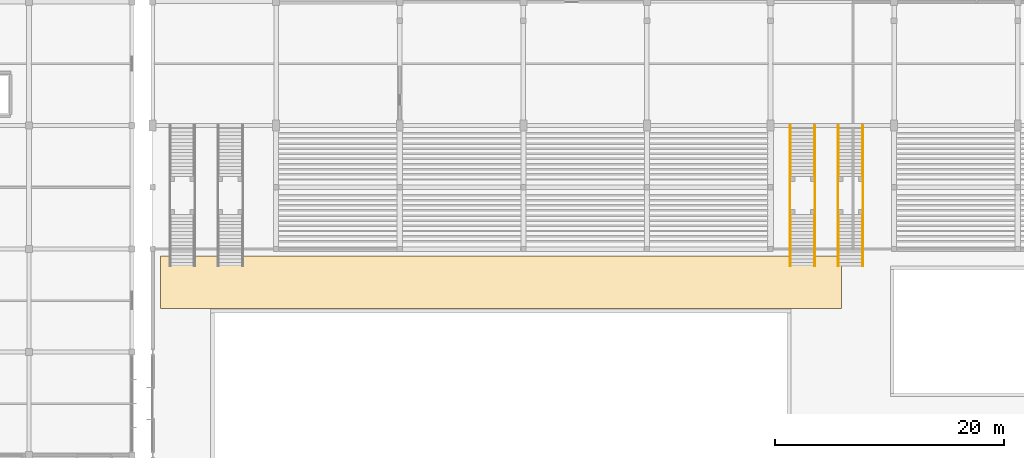
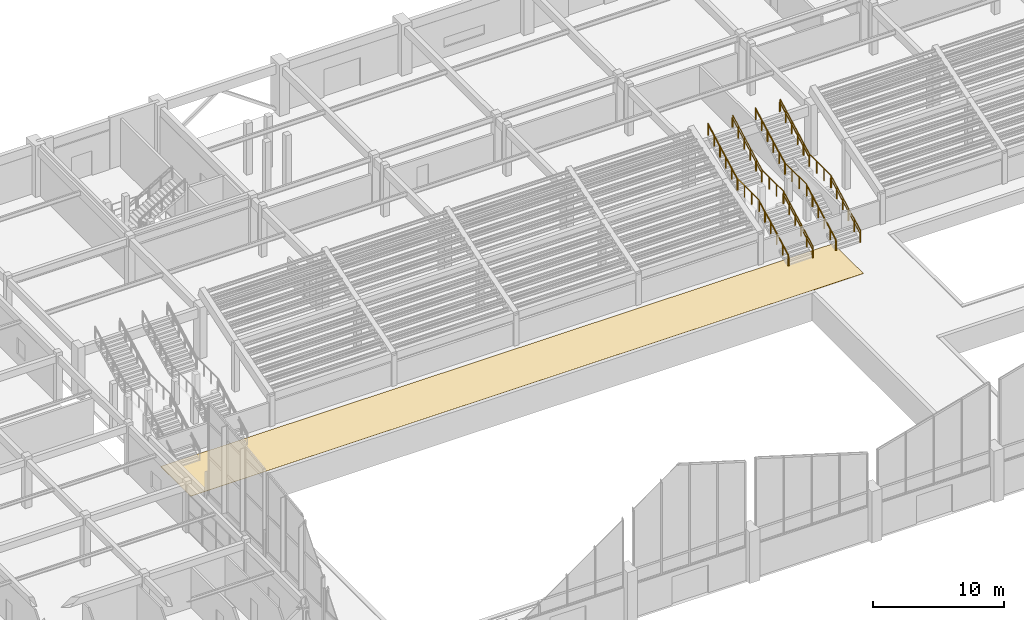
# One storey, part 71 of 82: 20 railings, 1 covering.
"""IFC4 building model written with IfcOpenShell, lengths in metres."""

import ifcopenshell
import ifcopenshell.guid

model = None  # the IFC model being written
_history = None  # IfcOwnerHistory: only IFC2X3 demands one
_inside = {}  # id of a spatial element -> (the spatial element, [elements in it])
_under = {}  # id of a project, library or spatial element -> (it, [spatial elements below it])
_declared = {}  # id of a project -> (the project, [libraries it declares])
_typed = {}  # id of a type object -> (the type object, [elements of that type])
_made_of = {}  # id of a material, layer set ... -> (it, [elements and type objects made of it])


def new_model(schema):
    """Start an empty IFC model of exactly this schema.

    Asked for "IFC4X3", IfcOpenShell would pick the latest addendum, in which some entities
    have other attributes; the version numbers below select the first issue.
    IFC2X3 requires an IfcOwnerHistory on every rooted entity: one is made here for all.
    """
    global model, _history
    if schema == "IFC4X3":
        model = ifcopenshell.file(schema_version=(4, 3, 0, 0))
    else:
        model = ifcopenshell.file(schema=schema)
    _inside.clear()
    _under.clear()
    _declared.clear()
    _typed.clear()
    _made_of.clear()
    _history = None
    if model.schema == "IFC2X3":
        org = make("IfcOrganization", Name="unknown")
        user = make(
            "IfcPersonAndOrganization",
            ThePerson=make("IfcPerson", FamilyName="unknown"),
            TheOrganization=org,
        )
        app = make(
            "IfcApplication",
            ApplicationDeveloper=org,
            Version="unknown",
            ApplicationFullName="unknown",
            ApplicationIdentifier="unknown",
        )
        _history = make(
            "IfcOwnerHistory",
            OwningUser=user,
            OwningApplication=app,
            ChangeAction="ADDED",
            CreationDate=0,
        )
    return model


def make(cls, **values):
    """One entity of the class cls with the attributes given. An attribute that is None is left unset."""
    return model.create_entity(
        cls, **{name: value for name, value in values.items() if value is not None}
    )


def rooted(cls, **values):
    """An entity with a GlobalId (a new one), such as an element, a storey or a relation."""
    return make(cls, GlobalId=ifcopenshell.guid.new(), OwnerHistory=_history, **values)


def si_unit(unit_type, name, prefix=None):
    """IfcSIUnit, for example si_unit("LENGTHUNIT", "METRE", prefix="MILLI")."""
    return make("IfcSIUnit", UnitType=unit_type, Prefix=prefix, Name=name)


def assignment(units):
    """IfcUnitAssignment: the units of a project."""
    return None if units is None else make("IfcUnitAssignment", Units=units)


def point(xyz):
    """IfcCartesianPoint."""
    return None if xyz is None else make("IfcCartesianPoint", Coordinates=xyz)


def direction(xyz):
    """IfcDirection."""
    return None if xyz is None else make("IfcDirection", DirectionRatios=xyz)


def frame(location, z_axis=None, x_axis=None):
    """IfcAxis2Placement3D, a coordinate frame: its origin and axes. An axis left out is left unset."""
    return make(
        "IfcAxis2Placement3D",
        Location=point(location),
        Axis=direction(z_axis),
        RefDirection=direction(x_axis),
    )


def frame_2d(location, x_axis=None):
    """IfcAxis2Placement2D, a coordinate frame in the plane: its origin and x axis."""
    return make(
        "IfcAxis2Placement2D", Location=point(location), RefDirection=direction(x_axis)
    )


def origin():
    """The frame at (0, 0, 0) with its axes left unset."""
    return frame((0.0, 0.0, 0.0))


def origin_2d():
    """The frame at (0, 0) in the plane with its x axis left unset."""
    return frame_2d((0.0, 0.0))


def place(relative_to, where):
    """IfcLocalPlacement: puts the frame where relative to a parent placement (None: the world)."""
    return make(
        "IfcLocalPlacement", PlacementRelTo=relative_to, RelativePlacement=where
    )


def context(
    kind, dimensions, precision=None, world=None, true_north=None, identifier=None
):
    """IfcGeometricRepresentationContext, for example the 3D "Model" context."""
    return make(
        "IfcGeometricRepresentationContext",
        ContextIdentifier=identifier,
        ContextType=kind,
        CoordinateSpaceDimension=dimensions,
        Precision=precision,
        WorldCoordinateSystem=world,
        TrueNorth=true_north,
    )


def subcontext(parent, identifier, kind, view, scale=None):
    """IfcGeometricRepresentationSubContext, for example "Body" below "Model"."""
    return make(
        "IfcGeometricRepresentationSubContext",
        ContextIdentifier=identifier,
        ContextType=kind,
        ParentContext=parent,
        TargetScale=scale,
        TargetView=view,
    )


def project(units=None, contexts=None):
    """IfcProject with its units and contexts."""
    return rooted(
        "IfcProject",
        Name="project",
        RepresentationContexts=contexts,
        UnitsInContext=assignment(units),
    )


def spatial(cls, under=None, at=None, **own):
    """A site, building, storey or space (cls), placed at a placement, below another one or the project."""
    s = rooted(cls, ObjectPlacement=at, **own)
    if under is not None:
        _under.setdefault(under.id(), (under, []))[1].append(s)
    return s


def polyline(points):
    """IfcPolyline through the points."""
    return make("IfcPolyline", Points=[point(p) for p in points])


def profile(cls, at=None, kind="AREA", **sizes):
    """A parametric profile (cls). Its sizes go by their IFC names, for example OverallWidth=200.0."""
    return make(cls, ProfileType=kind, Position=at, **sizes)


def circle(**sizes):
    """IfcCircleProfileDef."""
    return profile("IfcCircleProfileDef", **sizes)


def outline(outer, holes=None, kind="AREA"):
    """IfcArbitraryClosedProfileDef: a profile drawn as a closed curve; with holes, ...WithVoids."""
    if holes is None:
        return make("IfcArbitraryClosedProfileDef", ProfileType=kind, OuterCurve=outer)
    return make(
        "IfcArbitraryProfileDefWithVoids",
        ProfileType=kind,
        OuterCurve=outer,
        InnerCurves=holes,
    )


def extrude(swept, where, along, depth):
    """IfcExtrudedAreaSolid: the profile swept, set in the frame where, extruded along a direction by depth."""
    return make(
        "IfcExtrudedAreaSolid",
        SweptArea=swept,
        Position=where,
        ExtrudedDirection=direction(along),
        Depth=depth,
    )


def shape(context_of_items, identifier, shape_type, items):
    """IfcShapeRepresentation: the items that make up one representation, for example the "Body"."""
    return make(
        "IfcShapeRepresentation",
        ContextOfItems=context_of_items,
        RepresentationIdentifier=identifier,
        RepresentationType=shape_type,
        Items=items,
    )


def material(Name=None, Category=None):
    """IfcMaterial."""
    return make("IfcMaterial", Name=Name, Category=Category)


def layer(
    of_material, thickness, ventilated=None, Name=None, Category=None, Priority=None
):
    """IfcMaterialLayer: one layer of a wall or slab, of a material (None: an air gap)."""
    return make(
        "IfcMaterialLayer",
        Material=of_material,
        LayerThickness=thickness,
        IsVentilated=ventilated,
        Name=Name,
        Category=Category,
        Priority=Priority,
    )


def layer_set(layers, Name=None):
    """IfcMaterialLayerSet."""
    return make("IfcMaterialLayerSet", MaterialLayers=layers, LayerSetName=Name)


def made_of(thing, what):
    """Note that an element or type object is made of a material, layer set ...; save() writes the relation."""
    if what is not None:
        _made_of.setdefault(what.id(), (what, []))[1].append(thing)
    return thing


def type_object(cls, material=None, **own):
    """A type object (cls), such as IfcWallType, which elements share."""
    return made_of(rooted(cls, **own), material)


def element(
    cls,
    number,
    at=None,
    inside=None,
    cuts=None,
    type_object=None,
    material=None,
    context=None,
    identifier="Body",
    shape_type=None,
    held_by="IfcProductDefinitionShape",
    body=None,
    shapes=None,
    **own,
):
    """One element of the class cls, such as IfcWall. Its Tag is "e" and its number.

    at: its placement. inside: the storey or other place that contains it. cuts: it is an
    opening in that element (IfcRelVoidsElement). A single representation is given by context,
    identifier, shape_type and body (its items); several are given by shapes. held_by: the class
    of the entity that holds the representations. save() writes the other relations.
    """
    e = rooted(cls, Tag="e%d" % number, ObjectPlacement=at, **own)
    if body is not None:
        shapes = [shape(context, identifier, shape_type, body)]
    if shapes is not None:
        e.Representation = make(held_by, Representations=shapes)
    if inside is not None:
        _inside.setdefault(inside.id(), (inside, []))[1].append(e)
    if cuts is not None:
        rooted(
            "IfcRelVoidsElement", RelatingBuildingElement=cuts, RelatedOpeningElement=e
        )
    if type_object is not None:
        _typed.setdefault(type_object.id(), (type_object, []))[1].append(e)
    return made_of(e, material)


def aggregate(whole, parts):
    """IfcRelAggregates: a whole, such as a stair, and the parts it consists of."""
    return rooted("IfcRelAggregates", RelatingObject=whole, RelatedObjects=parts)


def save(model, path):
    """Write the relations noted so far, then the file.

    IfcRelAggregates (storeys below a building ...), IfcRelContainedInSpatialStructure (elements
    in a storey), IfcRelDefinesByType, IfcRelAssociatesMaterial and IfcRelDeclares: one each for
    every whole, place, type object, material and project.
    """
    for whole, parts in _under.values():
        aggregate(whole, parts)
    for where, things in _inside.values():
        rooted(
            "IfcRelContainedInSpatialStructure",
            RelatedElements=things,
            RelatingStructure=where,
        )
    for kind, things in _typed.values():
        rooted("IfcRelDefinesByType", RelatedObjects=things, RelatingType=kind)
    for what, things in _made_of.values():
        rooted("IfcRelAssociatesMaterial", RelatedObjects=things, RelatingMaterial=what)
    for by, libraries in _declared.values():
        rooted("IfcRelDeclares", RelatingContext=by, RelatedDefinitions=libraries)
    model.write(path)


model = new_model("IFC4")

# Units and contexts
model_context = context("Model", 3, precision=1e-05, world=origin(), true_north=direction((0.0, 1.0)))
body_context = subcontext(model_context, "Body", "Model", "MODEL_VIEW")
ifc_project = project(units=[si_unit("LENGTHUNIT", "METRE"), si_unit("AREAUNIT", "SQUARE_METRE"), si_unit("VOLUMEUNIT", "CUBIC_METRE"), si_unit("PLANEANGLEUNIT", "RADIAN"), si_unit("MASSUNIT", "GRAM", prefix="KILO")], contexts=[model_context])

# Site, building, storey
site_placement = place(None, origin())
site = spatial("IfcSite", under=ifc_project, at=site_placement, CompositionType="ELEMENT")
building_placement = place(site_placement, origin())
building = spatial("IfcBuilding", under=site, at=building_placement, Name="Suirenkawa Promenade Aquatics Centre", CompositionType="ELEMENT")
storey_placement = place(building_placement, origin())
storey = spatial("IfcBuildingStorey", under=building, at=storey_placement, Name="L00", CompositionType="ELEMENT", Elevation=0.0)

# Covering
ifc_material_1 = material(Name="Vitrified anti-slip natatorium ceramic tile")
ifc_layer = layer(ifc_material_1, 0.02490234375, Name="Vitrified anti-slip natatorium ceramic tile")
ifc_layer_set = layer_set([ifc_layer], Name="Vitrified anti-slip natatorium ceramic tile")
covering_type = type_object("IfcCoveringType", Name="CVT-WET-TILE", PredefinedType="FLOORING", material=ifc_layer_set)
covering_placement = place(storey_placement, origin())
element("IfcCovering", 1, at=covering_placement, inside=storey, type_object=covering_type, Name="Floor finish FLR-01 FLR-002", PredefinedType="FLOORING", context=body_context, shape_type="SweptSolid", body=[
    extrude(outline(polyline([(47.5, 81.199951171875), (107.0, 81.199951171875), (107.0, 85.800048828125), (47.5, 85.800048828125), (47.5, 81.199951171875)])), origin(), (0.0, 0.0, 1.0), 0.02490234375),
])

# Railings
ifc_material_2 = material(Name="Marine-grade stainless steel Grade 316L", Category="steel")
railing_type_1 = type_object("IfcRailingType", Name="RLT-GUARD-1120", PredefinedType="GUARDRAIL", material=ifc_material_2)
for number, where, name in (
    (2, (102.5048828125, 84.929931640625, 0.0), "Guardrail GRD-01 RL-0231"),
    (3, (104.695068359375, 84.929931640625, 0.0), "Guardrail GRD-01 RL-0233"),
):
    element("IfcRailing", number, at=place(storey_placement, frame(where)), inside=storey, type_object=railing_type_1, Name=name, PredefinedType="GUARDRAIL", context=body_context, shape_type="SweptSolid", body=[
        extrude(circle(Radius=0.02392578125, at=origin_2d()), frame((0.0, 0.0, 1.09619140625), z_axis=(0.0, 0.882360891967, 0.470573327259), x_axis=(-1.0, 0.0, 0.0)), (0.0, 0.0, 1.0), 5.099853515625),
        extrude(circle(Radius=0.02099609375, at=origin_2d()), origin(), (0.0, 0.0, 1.0), 1.072021484375),
        extrude(circle(Radius=0.02099609375, at=origin_2d()), frame((0.0, 0.89990234375, 0.47998046875)), (0.0, 0.0, 1.0), 1.072021484375),
        extrude(circle(Radius=0.02099609375, at=origin_2d()), frame((0.0, 1.800048828125, 0.9599609375)), (0.0, 0.0, 1.0), 1.072021484375),
        extrude(circle(Radius=0.02099609375, at=origin_2d()), frame((0.0, 2.699951171875, 1.43994140625)), (0.0, 0.0, 1.0), 1.072021484375),
        extrude(circle(Radius=0.02099609375, at=origin_2d()), frame((0.0, 3.60009765625, 1.919921875)), (0.0, 0.0, 1.0), 1.072021484375),
        extrude(circle(Radius=0.02099609375, at=origin_2d()), frame((0.0, 4.5, 2.39990234375)), (0.0, 0.0, 1.0), 1.072021484375),
    ])
for number, where, name in (
    (4, (102.5048828125, 92.719970703125, 2.39990234375), "Guardrail GRD-01 RL-0235"),
    (5, (104.695068359375, 92.719970703125, 2.39990234375), "Guardrail GRD-01 RL-0237"),
):
    element("IfcRailing", number, at=place(storey_placement, frame(where)), inside=storey, type_object=railing_type_1, Name=name, PredefinedType="GUARDRAIL", context=body_context, shape_type="SweptSolid", body=[
        extrude(circle(Radius=0.02392578125, at=origin_2d()), frame((0.0, 0.0, 1.09619140625), z_axis=(0.0, 0.882341014787, 0.470610596591), x_axis=(-1.0, 0.0, 0.0)), (0.0, 0.0, 1.0), 5.10009765625),
        extrude(circle(Radius=0.02099609375, at=origin_2d()), origin(), (0.0, 0.0, 1.0), 1.072021484375),
        extrude(circle(Radius=0.02099609375, at=origin_2d()), frame((0.0, 0.89990234375, 0.47998046875)), (0.0, 0.0, 1.0), 1.072021484375),
        extrude(circle(Radius=0.02099609375, at=origin_2d()), frame((0.0, 1.800048828125, 0.9599609375)), (0.0, 0.0, 1.0), 1.072021484375),
        extrude(circle(Radius=0.02099609375, at=origin_2d()), frame((0.0, 2.699951171875, 1.440185546875)), (0.0, 0.0, 1.0), 1.072021484375),
        extrude(circle(Radius=0.02099609375, at=origin_2d()), frame((0.0, 3.60009765625, 1.920166015625)), (0.0, 0.0, 1.0), 1.072021484375),
        extrude(circle(Radius=0.02099609375, at=origin_2d()), frame((0.0, 4.5, 2.400146484375)), (0.0, 0.0, 1.0), 1.072021484375),
    ])
for number, where, name in (
    (6, (102.5048828125, 89.405029296875, 2.39990234375), "Guardrail GRD-01 RL-0239"),
    (7, (104.695068359375, 89.405029296875, 2.39990234375), "Guardrail GRD-01 RL-0240"),
):
    element("IfcRailing", number, at=place(storey_placement, frame(where)), inside=storey, type_object=railing_type_1, Name=name, PredefinedType="GUARDRAIL", context=body_context, shape_type="SweptSolid", body=[
        extrude(circle(Radius=0.02392578125, at=origin_2d()), frame((0.0, 0.0, 1.09619140625), z_axis=(0.0, 1.0, 0.0), x_axis=(-1.0, 0.0, 0.0)), (0.0, 0.0, 1.0), 3.340087890625),
        extrude(circle(Radius=0.02099609375, at=origin_2d()), origin(), (0.0, 0.0, 1.0), 1.072021484375),
        extrude(circle(Radius=0.02099609375, at=origin_2d()), frame((0.0, 1.11328125, 0.0)), (0.0, 0.0, 1.0), 1.072021484375),
        extrude(circle(Radius=0.02099609375, at=origin_2d()), frame((0.0, 2.226806640625, 0.0)), (0.0, 0.0, 1.0), 1.072021484375),
        extrude(circle(Radius=0.02099609375, at=origin_2d()), frame((0.0, 3.340087890625, 0.0)), (0.0, 0.0, 1.0), 1.072021484375),
    ])
for number, where, name in (
    (8, (106.705078125, 84.929931640625, 0.0), "Guardrail GRD-01 RL-0241"),
    (9, (108.89501953125, 84.929931640625, 0.0), "Guardrail GRD-01 RL-0243"),
):
    element("IfcRailing", number, at=place(storey_placement, frame(where)), inside=storey, type_object=railing_type_1, Name=name, PredefinedType="GUARDRAIL", context=body_context, shape_type="SweptSolid", body=[
        extrude(circle(Radius=0.02392578125, at=origin_2d()), frame((0.0, 0.0, 1.09619140625), z_axis=(0.0, 0.882360891967, 0.470573327259), x_axis=(-1.0, 0.0, 0.0)), (0.0, 0.0, 1.0), 5.099853515625),
        extrude(circle(Radius=0.02099609375, at=origin_2d()), origin(), (0.0, 0.0, 1.0), 1.072021484375),
        extrude(circle(Radius=0.02099609375, at=origin_2d()), frame((0.0, 0.89990234375, 0.47998046875)), (0.0, 0.0, 1.0), 1.072021484375),
        extrude(circle(Radius=0.02099609375, at=origin_2d()), frame((0.0, 1.800048828125, 0.9599609375)), (0.0, 0.0, 1.0), 1.072021484375),
        extrude(circle(Radius=0.02099609375, at=origin_2d()), frame((0.0, 2.699951171875, 1.43994140625)), (0.0, 0.0, 1.0), 1.072021484375),
        extrude(circle(Radius=0.02099609375, at=origin_2d()), frame((0.0, 3.60009765625, 1.919921875)), (0.0, 0.0, 1.0), 1.072021484375),
        extrude(circle(Radius=0.02099609375, at=origin_2d()), frame((0.0, 4.5, 2.39990234375)), (0.0, 0.0, 1.0), 1.072021484375),
    ])
for number, where, name in (
    (10, (106.705078125, 92.719970703125, 2.39990234375), "Guardrail GRD-01 RL-0245"),
    (11, (108.89501953125, 92.719970703125, 2.39990234375), "Guardrail GRD-01 RL-0247"),
):
    element("IfcRailing", number, at=place(storey_placement, frame(where)), inside=storey, type_object=railing_type_1, Name=name, PredefinedType="GUARDRAIL", context=body_context, shape_type="SweptSolid", body=[
        extrude(circle(Radius=0.02392578125, at=origin_2d()), frame((0.0, 0.0, 1.09619140625), z_axis=(0.0, 0.882341014787, 0.470610596591), x_axis=(-1.0, 0.0, 0.0)), (0.0, 0.0, 1.0), 5.10009765625),
        extrude(circle(Radius=0.02099609375, at=origin_2d()), origin(), (0.0, 0.0, 1.0), 1.072021484375),
        extrude(circle(Radius=0.02099609375, at=origin_2d()), frame((0.0, 0.89990234375, 0.47998046875)), (0.0, 0.0, 1.0), 1.072021484375),
        extrude(circle(Radius=0.02099609375, at=origin_2d()), frame((0.0, 1.800048828125, 0.9599609375)), (0.0, 0.0, 1.0), 1.072021484375),
        extrude(circle(Radius=0.02099609375, at=origin_2d()), frame((0.0, 2.699951171875, 1.440185546875)), (0.0, 0.0, 1.0), 1.072021484375),
        extrude(circle(Radius=0.02099609375, at=origin_2d()), frame((0.0, 3.60009765625, 1.920166015625)), (0.0, 0.0, 1.0), 1.072021484375),
        extrude(circle(Radius=0.02099609375, at=origin_2d()), frame((0.0, 4.5, 2.400146484375)), (0.0, 0.0, 1.0), 1.072021484375),
    ])
for number, where, name in (
    (12, (106.705078125, 89.405029296875, 2.39990234375), "Guardrail GRD-01 RL-0249"),
    (13, (108.89501953125, 89.405029296875, 2.39990234375), "Guardrail GRD-01 RL-0250"),
):
    element("IfcRailing", number, at=place(storey_placement, frame(where)), inside=storey, type_object=railing_type_1, Name=name, PredefinedType="GUARDRAIL", context=body_context, shape_type="SweptSolid", body=[
        extrude(circle(Radius=0.02392578125, at=origin_2d()), frame((0.0, 0.0, 1.09619140625), z_axis=(0.0, 1.0, 0.0), x_axis=(-1.0, 0.0, 0.0)), (0.0, 0.0, 1.0), 3.340087890625),
        extrude(circle(Radius=0.02099609375, at=origin_2d()), origin(), (0.0, 0.0, 1.0), 1.072021484375),
        extrude(circle(Radius=0.02099609375, at=origin_2d()), frame((0.0, 1.11328125, 0.0)), (0.0, 0.0, 1.0), 1.072021484375),
        extrude(circle(Radius=0.02099609375, at=origin_2d()), frame((0.0, 2.226806640625, 0.0)), (0.0, 0.0, 1.0), 1.072021484375),
        extrude(circle(Radius=0.02099609375, at=origin_2d()), frame((0.0, 3.340087890625, 0.0)), (0.0, 0.0, 1.0), 1.072021484375),
    ])
railing_type_2 = type_object("IfcRailingType", Name="RLT-HANDRAIL-900", PredefinedType="HANDRAIL", material=ifc_material_2)
for number, where, name in (
    (14, (102.554931640625, 84.929931640625, 0.0), "Handrail HRL-01 RL-0232"),
    (15, (104.64501953125, 84.929931640625, 0.0), "Handrail HRL-01 RL-0234"),
):
    element("IfcRailing", number, at=place(storey_placement, frame(where)), inside=storey, type_object=railing_type_2, Name=name, PredefinedType="HANDRAIL", context=body_context, shape_type="SweptSolid", body=[
        extrude(circle(Radius=0.02392578125, at=origin_2d()), frame((0.0, 0.0, 0.8759765625), z_axis=(0.0, 0.882360891967, 0.470573327259), x_axis=(-1.0, 0.0, 0.0)), (0.0, 0.0, 1.0), 5.099853515625),
        extrude(circle(Radius=0.02099609375, at=origin_2d()), origin(), (0.0, 0.0, 1.0), 0.851806640625),
        extrude(circle(Radius=0.02099609375, at=origin_2d()), frame((0.0, 0.89990234375, 0.47998046875)), (0.0, 0.0, 1.0), 0.851806640625),
        extrude(circle(Radius=0.02099609375, at=origin_2d()), frame((0.0, 1.800048828125, 0.9599609375)), (0.0, 0.0, 1.0), 0.851806640625),
        extrude(circle(Radius=0.02099609375, at=origin_2d()), frame((0.0, 2.699951171875, 1.43994140625)), (0.0, 0.0, 1.0), 0.851806640625),
        extrude(circle(Radius=0.02099609375, at=origin_2d()), frame((0.0, 3.60009765625, 1.919921875)), (0.0, 0.0, 1.0), 0.851806640625),
        extrude(circle(Radius=0.02099609375, at=origin_2d()), frame((0.0, 4.5, 2.39990234375)), (0.0, 0.0, 1.0), 0.851806640625),
    ])
for number, where, name in (
    (16, (102.554931640625, 92.719970703125, 2.39990234375), "Handrail HRL-01 RL-0236"),
    (17, (104.64501953125, 92.719970703125, 2.39990234375), "Handrail HRL-01 RL-0238"),
):
    element("IfcRailing", number, at=place(storey_placement, frame(where)), inside=storey, type_object=railing_type_2, Name=name, PredefinedType="HANDRAIL", context=body_context, shape_type="SweptSolid", body=[
        extrude(circle(Radius=0.02392578125, at=origin_2d()), frame((0.0, 0.0, 0.8759765625), z_axis=(0.0, 0.882341014787, 0.470610596591), x_axis=(-1.0, 0.0, 0.0)), (0.0, 0.0, 1.0), 5.10009765625),
        extrude(circle(Radius=0.02099609375, at=origin_2d()), origin(), (0.0, 0.0, 1.0), 0.851806640625),
        extrude(circle(Radius=0.02099609375, at=origin_2d()), frame((0.0, 0.89990234375, 0.47998046875)), (0.0, 0.0, 1.0), 0.851806640625),
        extrude(circle(Radius=0.02099609375, at=origin_2d()), frame((0.0, 1.800048828125, 0.9599609375)), (0.0, 0.0, 1.0), 0.851806640625),
        extrude(circle(Radius=0.02099609375, at=origin_2d()), frame((0.0, 2.699951171875, 1.440185546875)), (0.0, 0.0, 1.0), 0.851806640625),
        extrude(circle(Radius=0.02099609375, at=origin_2d()), frame((0.0, 3.60009765625, 1.920166015625)), (0.0, 0.0, 1.0), 0.851806640625),
        extrude(circle(Radius=0.02099609375, at=origin_2d()), frame((0.0, 4.5, 2.400146484375)), (0.0, 0.0, 1.0), 0.851806640625),
    ])
for number, where, name in (
    (18, (106.7548828125, 84.929931640625, 0.0), "Handrail HRL-01 RL-0242"),
    (19, (108.844970703125, 84.929931640625, 0.0), "Handrail HRL-01 RL-0244"),
):
    element("IfcRailing", number, at=place(storey_placement, frame(where)), inside=storey, type_object=railing_type_2, Name=name, PredefinedType="HANDRAIL", context=body_context, shape_type="SweptSolid", body=[
        extrude(circle(Radius=0.02392578125, at=origin_2d()), frame((0.0, 0.0, 0.8759765625), z_axis=(0.0, 0.882360891967, 0.470573327259), x_axis=(-1.0, 0.0, 0.0)), (0.0, 0.0, 1.0), 5.099853515625),
        extrude(circle(Radius=0.02099609375, at=origin_2d()), origin(), (0.0, 0.0, 1.0), 0.851806640625),
        extrude(circle(Radius=0.02099609375, at=origin_2d()), frame((0.0, 0.89990234375, 0.47998046875)), (0.0, 0.0, 1.0), 0.851806640625),
        extrude(circle(Radius=0.02099609375, at=origin_2d()), frame((0.0, 1.800048828125, 0.9599609375)), (0.0, 0.0, 1.0), 0.851806640625),
        extrude(circle(Radius=0.02099609375, at=origin_2d()), frame((0.0, 2.699951171875, 1.43994140625)), (0.0, 0.0, 1.0), 0.851806640625),
        extrude(circle(Radius=0.02099609375, at=origin_2d()), frame((0.0, 3.60009765625, 1.919921875)), (0.0, 0.0, 1.0), 0.851806640625),
        extrude(circle(Radius=0.02099609375, at=origin_2d()), frame((0.0, 4.5, 2.39990234375)), (0.0, 0.0, 1.0), 0.851806640625),
    ])
for number, where, name in (
    (20, (106.7548828125, 92.719970703125, 2.39990234375), "Handrail HRL-01 RL-0246"),
    (21, (108.844970703125, 92.719970703125, 2.39990234375), "Handrail HRL-01 RL-0248"),
):
    element("IfcRailing", number, at=place(storey_placement, frame(where)), inside=storey, type_object=railing_type_2, Name=name, PredefinedType="HANDRAIL", context=body_context, shape_type="SweptSolid", body=[
        extrude(circle(Radius=0.02392578125, at=origin_2d()), frame((0.0, 0.0, 0.8759765625), z_axis=(0.0, 0.882341014787, 0.470610596591), x_axis=(-1.0, 0.0, 0.0)), (0.0, 0.0, 1.0), 5.10009765625),
        extrude(circle(Radius=0.02099609375, at=origin_2d()), origin(), (0.0, 0.0, 1.0), 0.851806640625),
        extrude(circle(Radius=0.02099609375, at=origin_2d()), frame((0.0, 0.89990234375, 0.47998046875)), (0.0, 0.0, 1.0), 0.851806640625),
        extrude(circle(Radius=0.02099609375, at=origin_2d()), frame((0.0, 1.800048828125, 0.9599609375)), (0.0, 0.0, 1.0), 0.851806640625),
        extrude(circle(Radius=0.02099609375, at=origin_2d()), frame((0.0, 2.699951171875, 1.440185546875)), (0.0, 0.0, 1.0), 0.851806640625),
        extrude(circle(Radius=0.02099609375, at=origin_2d()), frame((0.0, 3.60009765625, 1.920166015625)), (0.0, 0.0, 1.0), 0.851806640625),
        extrude(circle(Radius=0.02099609375, at=origin_2d()), frame((0.0, 4.5, 2.400146484375)), (0.0, 0.0, 1.0), 0.851806640625),
    ])

save(model, "model.ifc")
